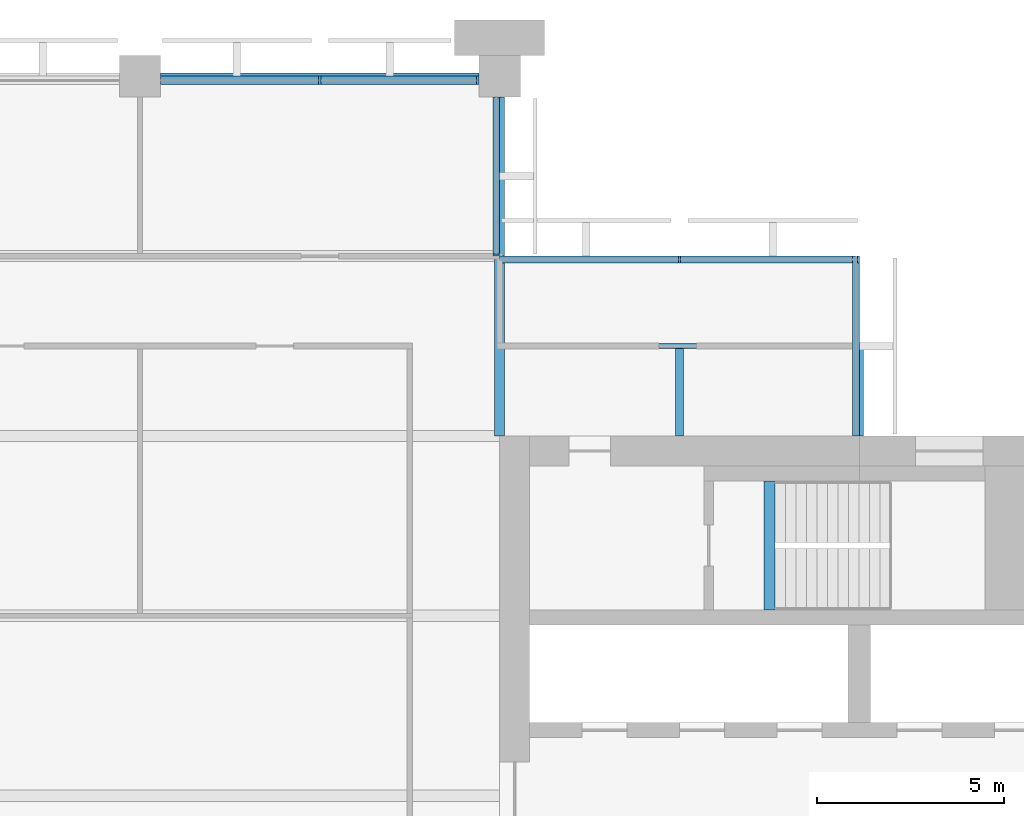
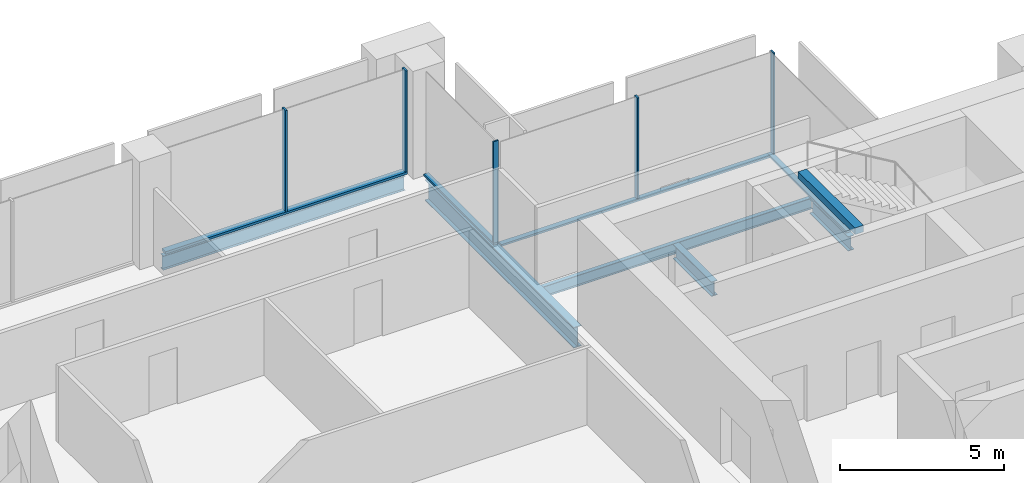
# One storey, part 6 of 13: 9 members, 6 beams, 4 elements without a shape of their own.
"""IFC4 building model written with IfcOpenShell, lengths in metres."""

from ifc_helpers import new_model, si_unit, direction, frame, origin, origin_2d, place, context, subcontext, project, spatial, rectangle, i_section, extrude, material, material_profile, profile_set, type_object, element, aggregate, save


model = new_model("IFC4")

# Units and contexts
model_context = context("Model", 3, precision=1e-05, world=origin(), true_north=direction((0.0, 1.0)))
body_context = subcontext(model_context, "Body", "Model", "MODEL_VIEW")
ifc_project = project(units=[si_unit("LENGTHUNIT", "METRE"), si_unit("AREAUNIT", "SQUARE_METRE"), si_unit("VOLUMEUNIT", "CUBIC_METRE"), si_unit("PLANEANGLEUNIT", "RADIAN"), si_unit("MASSUNIT", "GRAM", prefix="KILO")], contexts=[model_context])

# Site, building, storey
site_placement = place(None, origin())
site = spatial("IfcSite", under=ifc_project, at=site_placement, CompositionType="ELEMENT")
building_placement = place(site_placement, origin())
building = spatial("IfcBuilding", under=site, at=building_placement, Name="Baori Bourse Tower", CompositionType="ELEMENT")
storey_placement = place(building_placement, frame((0.0, 0.0, 217.199951171875)))
storey = spatial("IfcBuildingStorey", under=building, at=storey_placement, Name="L47", CompositionType="ELEMENT", Elevation=217.199951171875)

# Curtain wall, members
ifc_material_1 = material(Name="Pale anodised aluminium", Category="aluminium")
curtain_wall_type_1 = type_object("IfcCurtainWallType", Name="CW2 Curtain wall", PredefinedType="NOTDEFINED", material=ifc_material_1)
curtain_wall_1_placement = place(storey_placement, origin())
curtain_wall_1 = element("IfcCurtainWall", 1, at=curtain_wall_1_placement, inside=storey, type_object=curtain_wall_type_1, Name="Curtain wall CW2 L47 2", PredefinedType="NOTDEFINED")
ifc_material_2 = material(Name="Pale anodised aluminium", Category="aluminium")
ifc_material_profile_1 = material_profile(ifc_material_2, rectangle(XDim=0.179931640625, YDim=0.054931640625, at=origin_2d()), Name="Mullion 55x180")
ifc_profile_set_1 = profile_set([ifc_material_profile_1], Name="Pale anodised aluminium")
member_type_1 = type_object("IfcMemberType", Name="CW2 Curtain wall mullion", PredefinedType="MULLION", material=ifc_profile_set_1)
member_1_placement = place(storey_placement, frame((47.972412109375, 43.110107421875, 0.070068359375), z_axis=(0.0, 0.0, 1.0), x_axis=(0.0, -1.0, 0.0)))
member_1 = element("IfcMember", 2, at=member_1_placement, type_object=member_type_1, Name="Curtain wall CW2 mullion", PredefinedType="MULLION", context=body_context, shape_type="SweptSolid", body=[
    extrude(rectangle(XDim=0.179931640625, YDim=0.054931640625, at=origin_2d()), origin(), (0.0, 0.0, 1.0), 3.77001953125),
])
member_2_placement = place(storey_placement, frame((43.199951171875, 43.110107421875, 0.070068359375), z_axis=(0.0, 0.0, 1.0), x_axis=(0.0, -1.0, 0.0)))
member_2 = element("IfcMember", 3, at=member_2_placement, type_object=member_type_1, Name="Curtain wall CW2 mullion", PredefinedType="MULLION", context=body_context, shape_type="SweptSolid", body=[
    extrude(rectangle(XDim=0.179931640625, YDim=0.054931640625, at=origin_2d()), origin(), (0.0, 0.0, 1.0), 3.77001953125),
])

# Curtain wall, member
curtain_wall_2_placement = place(storey_placement, origin())
curtain_wall_2 = element("IfcCurtainWall", 4, at=curtain_wall_2_placement, inside=storey, type_object=curtain_wall_type_1, Name="Curtain wall CW2 L47 3", PredefinedType="NOTDEFINED")
member_3_placement = place(storey_placement, frame((38.31005859375, 43.2275390625, 0.070068359375), z_axis=(0.0, 0.0, 1.0), x_axis=(-1.0, 0.0, 0.0)))
member_3 = element("IfcMember", 5, at=member_3_placement, type_object=member_type_1, Name="Curtain wall CW2 mullion", PredefinedType="MULLION", context=body_context, shape_type="SweptSolid", body=[
    extrude(rectangle(XDim=0.179931640625, YDim=0.054931640625, at=origin_2d()), origin(), (0.0, 0.0, 1.0), 3.77001953125),
])

curtain_wall_3_placement = place(storey_placement, origin())
curtain_wall_3 = element("IfcCurtainWall", 6, at=curtain_wall_3_placement, inside=storey, type_object=curtain_wall_type_1, Name="Curtain wall CW2 L47 1", PredefinedType="NOTDEFINED")
ifc_material_3 = material(Name="Pale anodised aluminium", Category="aluminium")
ifc_material_profile_2 = material_profile(ifc_material_3, rectangle(XDim=0.179931640625, YDim=0.070068359375, at=origin_2d()), Name="Transom 70x180")
ifc_profile_set_2 = profile_set([ifc_material_profile_2], Name="Pale anodised aluminium")
member_type_2 = type_object("IfcMemberType", Name="CW2 Curtain wall transom", PredefinedType="USERDEFINED", material=ifc_profile_set_2)
member_4_placement = place(storey_placement, frame((47.909912109375, 38.39990234375, 0.03515625), z_axis=(0.0, 1.0, 0.0), x_axis=(-1.0, 0.0, 0.0)))
member_4 = element("IfcMember", 7, at=member_4_placement, type_object=member_type_2, Name="Curtain wall CW2 sill rail", ObjectType="TRANSOM", PredefinedType="USERDEFINED", context=body_context, shape_type="SweptSolid", body=[
    extrude(rectangle(XDim=0.179931640625, YDim=0.070068359375, at=origin_2d()), origin(), (0.0, 0.0, 1.0), 4.800048828125),
])
aggregate(curtain_wall_3, [member_4])

# Member
member_5_placement = place(storey_placement, frame((48.0, 43.110107421875, 0.03515625), z_axis=(-1.0, 0.0, 0.0), x_axis=(0.0, -1.0, 0.0)))
member_5 = element("IfcMember", 8, at=member_5_placement, type_object=member_type_2, Name="Curtain wall CW2 sill rail", ObjectType="TRANSOM", PredefinedType="USERDEFINED", context=body_context, shape_type="SweptSolid", body=[
    extrude(rectangle(XDim=0.179931640625, YDim=0.070068359375, at=origin_2d()), origin(), (0.0, 0.0, 1.0), 9.60009765625),
])

aggregate(curtain_wall_1, [member_5, member_1, member_2])

member_6_placement = place(storey_placement, frame((38.31005859375, 43.199951171875, 0.03515625), z_axis=(0.0, 1.0, 0.0), x_axis=(-1.0, 0.0, 0.0)))
member_6 = element("IfcMember", 9, at=member_6_placement, type_object=member_type_2, Name="Curtain wall CW2 sill rail", ObjectType="TRANSOM", PredefinedType="USERDEFINED", context=body_context, shape_type="SweptSolid", body=[
    extrude(rectangle(XDim=0.179931640625, YDim=0.070068359375, at=origin_2d()), origin(), (0.0, 0.0, 1.0), 4.25),
])

aggregate(curtain_wall_2, [member_6, member_3])

# Curtain wall, members
ifc_material_4 = material(Name="Pale anodised aluminium", Category="aluminium")
curtain_wall_type_2 = type_object("IfcCurtainWallType", Name="CW5 Curtain wall", PredefinedType="NOTDEFINED", material=ifc_material_4)
curtain_wall_4_placement = place(storey_placement, origin())
curtain_wall_4 = element("IfcCurtainWall", 10, at=curtain_wall_4_placement, inside=storey, type_object=curtain_wall_type_2, Name="Curtain wall CW5 L47 4", PredefinedType="NOTDEFINED")
ifc_material_5 = material(Name="Pale anodised aluminium", Category="aluminium")
ifc_material_profile_3 = material_profile(ifc_material_5, rectangle(XDim=0.219970703125, YDim=0.06494140625, at=origin_2d()), Name="Mullion 65x220")
ifc_profile_set_3 = profile_set([ifc_material_profile_3], Name="Pale anodised aluminium")
member_type_3 = type_object("IfcMemberType", Name="CW5 Curtain wall mullion", PredefinedType="MULLION", material=ifc_profile_set_3)
member_7_placement = place(storey_placement, frame((37.8173828125, 47.889892578125, 0.0849609375), z_axis=(0.0, 0.0, 1.0), x_axis=(0.0, -1.0, 0.0)))
member_7 = element("IfcMember", 11, at=member_7_placement, type_object=member_type_3, Name="Curtain wall CW5 mullion", PredefinedType="MULLION", context=body_context, shape_type="SweptSolid", body=[
    extrude(rectangle(XDim=0.219970703125, YDim=0.06494140625, at=origin_2d()), origin(), (0.0, 0.0, 1.0), 3.755126953125),
])
member_8_placement = place(storey_placement, frame((33.60009765625, 47.889892578125, 0.0849609375), z_axis=(0.0, 0.0, 1.0), x_axis=(0.0, -1.0, 0.0)))
member_8 = element("IfcMember", 12, at=member_8_placement, type_object=member_type_3, Name="Curtain wall CW5 mullion", PredefinedType="MULLION", context=body_context, shape_type="SweptSolid", body=[
    extrude(rectangle(XDim=0.219970703125, YDim=0.06494140625, at=origin_2d()), origin(), (0.0, 0.0, 1.0), 3.755126953125),
])
ifc_material_6 = material(Name="Pale anodised aluminium", Category="aluminium")
ifc_material_profile_4 = material_profile(ifc_material_6, rectangle(XDim=0.219970703125, YDim=0.0849609375, at=origin_2d()), Name="Transom 85x220")
ifc_profile_set_4 = profile_set([ifc_material_profile_4], Name="Pale anodised aluminium")
member_type_4 = type_object("IfcMemberType", Name="CW5 Curtain wall transom", PredefinedType="USERDEFINED", material=ifc_profile_set_4)
member_9_placement = place(storey_placement, frame((37.85009765625, 47.889892578125, 0.04248046875), z_axis=(-1.0, 0.0, 0.0), x_axis=(0.0, -1.0, 0.0)))
member_9 = element("IfcMember", 13, at=member_9_placement, type_object=member_type_4, Name="Curtain wall CW5 sill rail", ObjectType="TRANSOM", PredefinedType="USERDEFINED", context=body_context, shape_type="SweptSolid", body=[
    extrude(rectangle(XDim=0.219970703125, YDim=0.0849609375, at=origin_2d()), origin(), (0.0, 0.0, 1.0), 8.5),
])
aggregate(curtain_wall_4, [member_9, member_7, member_8])

# Beams
ifc_material_7 = material(Name="Steel A992 Gr 50", Category="steel")
ifc_material_profile_5 = material_profile(ifc_material_7, i_section(OverallWidth=0.21240234375, OverallDepth=0.54345703125, WebThickness=0.01318359375, FlangeThickness=0.021240234375, at=origin_2d()), Name="W21x83")
ifc_profile_set_5 = profile_set([ifc_material_profile_5], Name="Steel A992 Gr 50")
beam_type_1 = type_object("IfcBeamType", Name="Core bracket W21x83", PredefinedType="BEAM", material=ifc_profile_set_5)
for number, where, z_axis, x_axis, name in (
    (14, (43.199951171875, 38.39990234375, -0.431640625), (0.0, 1.0, 0.0), (-1.0, 0.0, 0.0), "Core bracket L47"),
    (15, (48.0, 38.39990234375, -0.431640625), (0.0, 1.0, 0.0), (-1.0, 0.0, 0.0), "Core bracket L47"),
):
    element("IfcBeam", number, at=place(storey_placement, frame(where, z_axis=z_axis, x_axis=x_axis)), inside=storey, type_object=beam_type_1, Name=name, PredefinedType="BEAM", context=body_context, shape_type="SweptSolid", body=[
        extrude(i_section(OverallWidth=0.21240234375, OverallDepth=0.54345703125, WebThickness=0.01318359375, FlangeThickness=0.021240234375, at=origin_2d()), origin(), (0.0, 0.0, 1.0), 2.329833984375),
    ])
ifc_material_8 = material(Name="Steel A992 Gr 50", Category="steel")
ifc_material_profile_6 = material_profile(ifc_material_8, i_section(OverallWidth=0.1650390625, OverallDepth=0.52587890625, WebThickness=0.0087890625, FlangeThickness=0.011474609375, at=origin_2d()), Name="W21x44")
ifc_profile_set_6 = profile_set([ifc_material_profile_6], Name="Steel A992 Gr 50")
beam_type_2 = type_object("IfcBeamType", Name="Edge beam W21x44", PredefinedType="BEAM", material=ifc_profile_set_6)
beam_1_placement = place(storey_placement, frame((29.35009765625, 48.0, -0.4228515625), z_axis=(1.0, 0.0, 0.0), x_axis=(0.0, 1.0, 0.0)))
element("IfcBeam", 16, at=beam_1_placement, inside=storey, type_object=beam_type_2, Name="Edge beam L47", PredefinedType="BEAM", context=body_context, shape_type="SweptSolid", body=[
    extrude(i_section(OverallWidth=0.1650390625, OverallDepth=0.52587890625, WebThickness=0.0087890625, FlangeThickness=0.011474609375, at=origin_2d()), origin(), (0.0, 0.0, 1.0), 8.5),
])
ifc_material_9 = material(Name="Steel A992 Gr 50", Category="steel")
ifc_material_profile_7 = material_profile(ifc_material_9, i_section(OverallWidth=0.2666015625, OverallDepth=0.76953125, WebThickness=0.015625, FlangeThickness=0.025390625, at=origin_2d()), Name="W30x132")
ifc_profile_set_7 = profile_set([ifc_material_profile_7], Name="Steel A992 Gr 50")
beam_type_3 = type_object("IfcBeamType", Name="Girder W30x132", PredefinedType="BEAM", material=ifc_profile_set_7)
beam_2_placement = place(storey_placement, frame((38.39990234375, 38.39990234375, -0.544677734375), z_axis=(0.0, 1.0, 0.0), x_axis=(-1.0, 0.0, 0.0)))
element("IfcBeam", 17, at=beam_2_placement, inside=storey, type_object=beam_type_3, Name="Girder L47", PredefinedType="BEAM", context=body_context, shape_type="SweptSolid", body=[
    extrude(i_section(OverallWidth=0.2666015625, OverallDepth=0.76953125, WebThickness=0.015625, FlangeThickness=0.025390625, at=origin_2d()), origin(), (0.0, 0.0, 1.0), 9.050048828125),
])
ifc_material_10 = material(Name="Concrete f'c 50 MPa", Category="concrete")
ifc_material_profile_8 = material_profile(ifc_material_10, rectangle(XDim=0.300048828125, YDim=0.25, at=origin_2d()), Name="RC 300x250")
ifc_profile_set_8 = profile_set([ifc_material_profile_8], Name="Concrete f'c 50 MPa")
beam_type_4 = type_object("IfcBeamType", Name="Stair nib beam RC 300x250", PredefinedType="BEAM", material=ifc_profile_set_8)
beam_3_placement = place(storey_placement, frame((45.60009765625, 33.75, 3.715087890625), z_axis=(0.0, 1.0, 0.0), x_axis=(-1.0, 0.0, 0.0)))
element("IfcBeam", 18, at=beam_3_placement, inside=storey, type_object=beam_type_4, Name="Stair EB nib beam L48", PredefinedType="BEAM", context=body_context, shape_type="SweptSolid", body=[
    extrude(rectangle(XDim=0.300048828125, YDim=0.25, at=origin_2d()), origin(), (0.0, 0.0, 1.0), 3.449951171875),
])
ifc_material_11 = material(Name="Steel A992 Gr 50", Category="steel")
ifc_material_profile_9 = material_profile(ifc_material_11, i_section(OverallWidth=0.140380859375, OverallDepth=0.40380859375, WebThickness=0.007080078125, FlangeThickness=0.01123046875, at=origin_2d()), Name="W16x31")
ifc_profile_set_9 = profile_set([ifc_material_profile_9], Name="Steel A992 Gr 50")
beam_type_5 = type_object("IfcBeamType", Name="Trimmer beam W16x31", PredefinedType="BEAM", material=ifc_profile_set_9)
beam_4_placement = place(storey_placement, frame((38.533447265625, 40.800048828125, -0.36181640625), z_axis=(1.0, 0.0, 0.0), x_axis=(0.0, 1.0, 0.0)))
element("IfcBeam", 19, at=beam_4_placement, inside=storey, type_object=beam_type_5, Name="Trimmer beam L47", PredefinedType="BEAM", context=body_context, shape_type="SweptSolid", body=[
    extrude(i_section(OverallWidth=0.140380859375, OverallDepth=0.40380859375, WebThickness=0.007080078125, FlangeThickness=0.01123046875, at=origin_2d()), origin(), (0.0, 0.0, 1.0), 9.466552734375),
])

save(model, "model.ifc")
